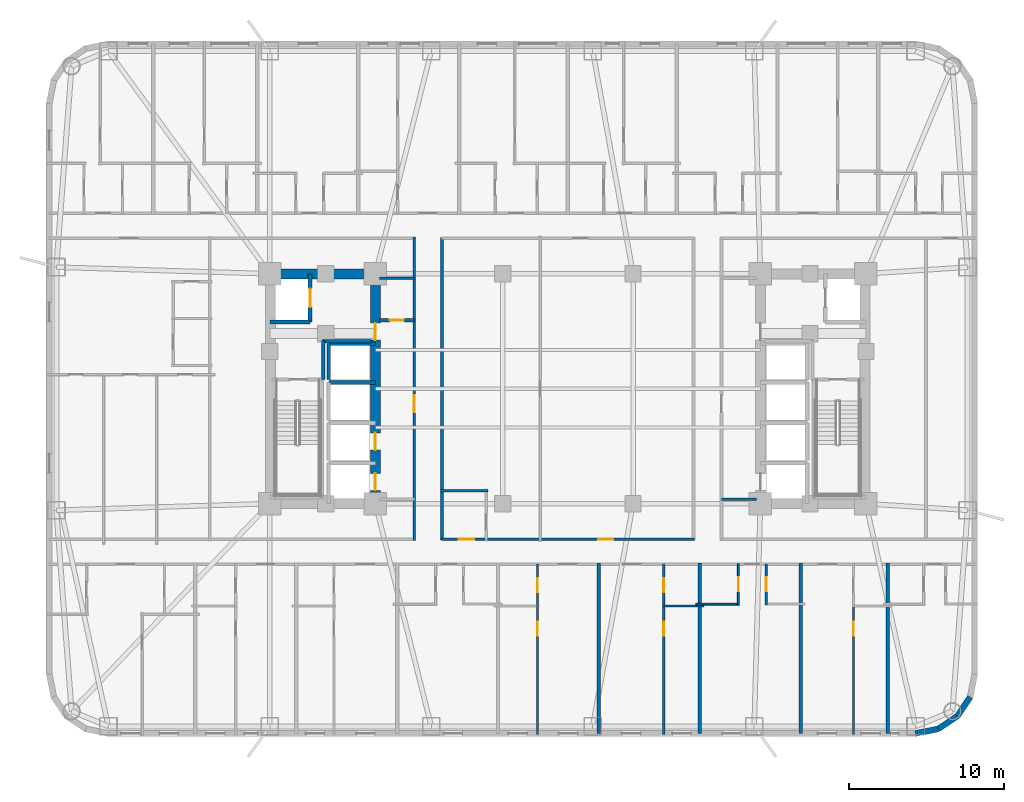
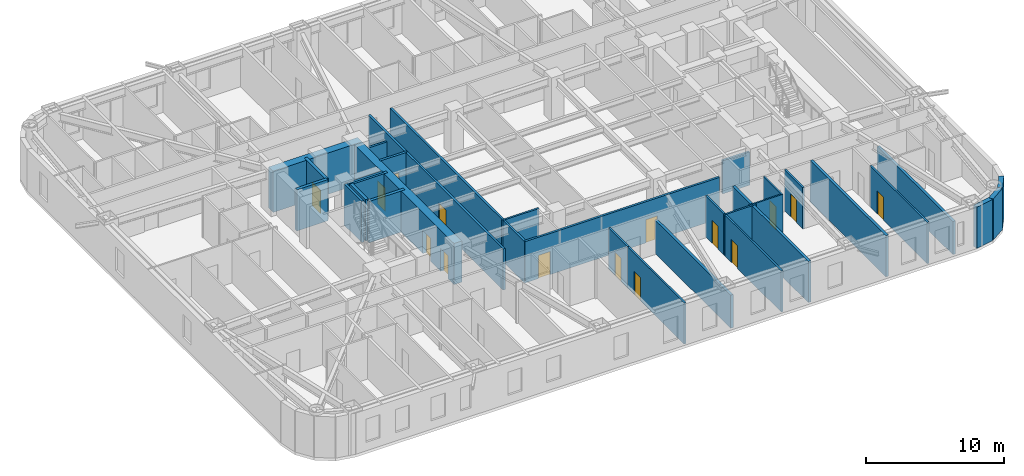
# One storey, part 5 of 11: 32 walls, 15 doors, 15 openings.
"""IFC4 building model written with IfcOpenShell, lengths in metres."""

from ifc_helpers import new_model, si_unit, direction, frame, frame_2d, origin, place, context, subcontext, project, spatial, rectangle, extrude, material, layer, layer_set, type_object, element, fill, save


model = new_model("IFC4")

# Units and contexts
model_context = context("Model", 3, precision=1e-05, world=origin(), true_north=direction((0.0, 1.0)))
body_context = subcontext(model_context, "Body", "Model", "MODEL_VIEW")
ifc_project = project(units=[si_unit("LENGTHUNIT", "METRE"), si_unit("AREAUNIT", "SQUARE_METRE"), si_unit("VOLUMEUNIT", "CUBIC_METRE"), si_unit("PLANEANGLEUNIT", "RADIAN"), si_unit("MASSUNIT", "GRAM", prefix="KILO")], contexts=[model_context])

# Site, building, storey
site_placement = place(None, origin())
site = spatial("IfcSite", under=ifc_project, at=site_placement, CompositionType="ELEMENT")
building_placement = place(site_placement, origin())
building = spatial("IfcBuilding", under=site, at=building_placement, Name="Voryun Gate Residences", CompositionType="ELEMENT")
storey_placement = place(building_placement, frame((0.0, 0.0, 49.39990234375)))
storey = spatial("IfcBuildingStorey", under=building, at=storey_placement, Name="L11", CompositionType="ELEMENT", Elevation=49.39990234375)

# Wall
ifc_material_1 = material(Name="Concrete C60/75", Category="concrete")
ifc_layer_1 = layer(ifc_material_1, 0.64990234375, Name="CW_CORE_650")
ifc_layer_set_1 = layer_set([ifc_layer_1], Name="Concrete C60/75")
wall_type_1 = type_object("IfcWallType", Name="CW_CORE_650", PredefinedType="SHEAR", material=ifc_layer_set_1)
wall_1_placement = place(storey_placement, frame((-19.52490234375, 7.39990234375, 0.0), z_axis=(0.0, 0.0, 1.0), x_axis=(1.0, 0.0, 0.0)))
element("IfcWall", 1, at=wall_1_placement, inside=storey, type_object=wall_type_1, Name="L11 Core shear wall CW-L11-WN", PredefinedType="SHEAR", context=body_context, shape_type="SweptSolid", body=[
    extrude(rectangle(XDim=7.449951171875, YDim=0.64990234375, at=frame_2d((3.72509765625, 0.0))), origin(), (0.0, 0.0, 1.0), 3.650146484375),
])

# Wall, openings, doors
wall_2_placement = place(storey_placement, frame((-12.39990234375, -7.39990234375, 0.0), z_axis=(0.0, 0.0, 1.0), x_axis=(0.0, 1.0, 0.0)))
wall_2 = element("IfcWall", 2, at=wall_2_placement, inside=storey, type_object=wall_type_1, Name="L11 Core shear wall CW-L11-WE", PredefinedType="SHEAR", context=body_context, shape_type="SweptSolid", body=[
    extrude(rectangle(XDim=14.7998046875, YDim=0.64990234375, at=frame_2d((7.39990234375, 0.0))), origin(), (0.0, 0.0, 1.0), 3.650146484375),
])
opening_1_placement = place(wall_2_placement, frame((0.85009765625, 0.0, 0.0)))
opening_1 = element("IfcOpeningElement", 3, at=opening_1_placement, cuts=wall_2, Name="Opening LD2", PredefinedType="OPENING", context=body_context, shape_type="SweptSolid", body=[
    extrude(rectangle(XDim=1.10009765625, YDim=2.050048828125, at=frame_2d((0.550048828125, 1.02490234375))), frame((0.0, 0.3349609375, 0.0), z_axis=(0.0, -1.0, 0.0), x_axis=(1.0, 0.0, 0.0)), (0.0, 0.0, 1.0), 0.669921875),
])
opening_2_placement = place(wall_2_placement, frame((3.449951171875, 0.0, 0.0)))
opening_2 = element("IfcOpeningElement", 4, at=opening_2_placement, cuts=wall_2, Name="Opening LD2", PredefinedType="OPENING", context=body_context, shape_type="SweptSolid", body=[
    extrude(rectangle(XDim=1.10009765625, YDim=2.050048828125, at=frame_2d((0.550048828125, 1.02490234375))), frame((0.0, 0.3349609375, 0.0), z_axis=(0.0, -1.0, 0.0), x_axis=(1.0, 0.0, 0.0)), (0.0, 0.0, 1.0), 0.669921875),
])
opening_3_placement = place(wall_2_placement, frame((10.530029296875, 0.0, 0.0)))
opening_3 = element("IfcOpeningElement", 5, at=opening_3_placement, cuts=wall_2, Name="Opening D-FD60-2", PredefinedType="OPENING", context=body_context, shape_type="SweptSolid", body=[
    extrude(rectangle(XDim=1.10009765625, YDim=2.050048828125, at=frame_2d((0.550048828125, 1.02490234375))), frame((0.0, 0.3349609375, 0.0), z_axis=(0.0, -1.0, 0.0), x_axis=(1.0, 0.0, 0.0)), (0.0, 0.0, 1.0), 0.669921875),
])
ifc_material_2 = material(Name="Painted steel fire door", Category="steel")
door_type_1 = type_object("IfcDoorType", Name="DR_FD60_FFLOB_1100", OperationType="NOTDEFINED", PredefinedType="DOOR", material=ifc_material_2)
door_1_placement = place(opening_3_placement, origin())
door_1 = element("IfcDoor", 6, at=door_1_placement, inside=storey, type_object=door_type_1, Name="Door DR-L11-CLOB-W", OperationType="SINGLE_SWING_LEFT", OverallHeight=2.050048828125, OverallWidth=1.10009765625, PredefinedType="DOOR", context=body_context, shape_type="SweptSolid", body=[
    extrude(rectangle(XDim=1.10009765625, YDim=2.050048828125, at=frame_2d((0.550048828125, 1.02490234375))), frame((0.0, 0.02490234375, 0.0), z_axis=(0.0, -1.0, 0.0), x_axis=(1.0, 0.0, 0.0)), (0.0, 0.0, 1.0), 0.050048828125),
])
fill(opening_3, door_1)
ifc_material_3 = material(Name="Anodised aluminium", Category="aluminium")
door_type_2 = type_object("IfcDoorType", Name="DR_LD_PASS_1100", OperationType="NOTDEFINED", PredefinedType="DOOR", material=ifc_material_3)
door_2_placement = place(opening_1_placement, origin())
door_2 = element("IfcDoor", 7, at=door_2_placement, inside=storey, type_object=door_type_2, Name="Lift EL-P1 sliding landing door L11", OperationType="SLIDING_TO_LEFT", OverallHeight=2.050048828125, OverallWidth=1.10009765625, PredefinedType="DOOR", context=body_context, shape_type="SweptSolid", body=[
    extrude(rectangle(XDim=1.10009765625, YDim=2.050048828125, at=frame_2d((0.550048828125, 1.02490234375))), frame((0.0, 0.02490234375, 0.0), z_axis=(0.0, -1.0, 0.0), x_axis=(1.0, 0.0, 0.0)), (0.0, 0.0, 1.0), 0.050048828125),
])
fill(opening_1, door_2)
door_3_placement = place(opening_2_placement, origin())
door_3 = element("IfcDoor", 8, at=door_3_placement, inside=storey, type_object=door_type_2, Name="Lift EL-P2 sliding landing door L11", OperationType="SLIDING_TO_LEFT", OverallHeight=2.050048828125, OverallWidth=1.10009765625, PredefinedType="DOOR", context=body_context, shape_type="SweptSolid", body=[
    extrude(rectangle(XDim=1.10009765625, YDim=2.050048828125, at=frame_2d((0.550048828125, 1.02490234375))), frame((0.0, 0.02490234375, 0.0), z_axis=(0.0, -1.0, 0.0), x_axis=(1.0, 0.0, 0.0)), (0.0, 0.0, 1.0), 0.050048828125),
])
fill(opening_2, door_3)

# Walls
ifc_material_4 = material(Name="Gypsum acoustic fireboard")
ifc_layer_2 = layer(ifc_material_4, 0.179931640625, Name="W_CORR_RATED_180")
ifc_layer_set_2 = layer_set([ifc_layer_2], Name="Gypsum acoustic fireboard")
wall_type_2 = type_object("IfcWallType", Name="W_CORR_RATED_180", PredefinedType="PARTITIONING", material=ifc_layer_set_2)
for number, where, z_axis, x_axis, name in (
    (9, (-12.14990234375, 7.1201171875, 0.0), (0.0, 0.0, 1.0), (1.0, 0.0, 0.0), "Partition wall WP-L11-PLBN-W"),
    (10, (9.8798828125, -7.1201171875, 0.0), (0.0, 0.0, 1.0), (1.0, 0.0, 0.0), "Partition wall WP-L11-PLBS-E"),
):
    element("IfcWall", number, at=place(storey_placement, frame(where, z_axis=z_axis, x_axis=x_axis)), inside=storey, type_object=wall_type_2, Name=name, PredefinedType="PARTITIONING", context=body_context, shape_type="SweptSolid", body=[
        extrude(rectangle(XDim=2.27001953125, YDim=0.179931640625, at=frame_2d((1.135009765625, 0.0))), origin(), (0.0, 0.0, 1.0), 2.940185546875),
    ])

# Wall, opening, door
wall_3_placement = place(storey_placement, frame((-9.89990234375, -9.780029296875, 0.0), z_axis=(0.0, 0.0, 1.0), x_axis=(0.0, 1.0, 0.0)))
wall_3 = element("IfcWall", 11, at=wall_3_placement, inside=storey, type_object=wall_type_2, Name="Partition wall WP-L11-PLBW-FULL", PredefinedType="PARTITIONING", context=body_context, shape_type="SweptSolid", body=[
    extrude(rectangle(XDim=19.56005859375, YDim=0.179931640625, at=frame_2d((9.780029296875, 0.0))), origin(), (0.0, 0.0, 1.0), 3.650146484375),
])
opening_4_placement = place(wall_3_placement, frame((8.251953125, 0.0, 0.0)))
opening_4 = element("IfcOpeningElement", 12, at=opening_4_placement, cuts=wall_3, Name="Opening D-FD60-2", PredefinedType="OPENING", context=body_context, shape_type="SweptSolid", body=[
    extrude(rectangle(XDim=1.10009765625, YDim=2.050048828125, at=frame_2d((0.550048828125, 1.02490234375))), frame((0.0, 0.099853515625, 0.0), z_axis=(0.0, -1.0, 0.0), x_axis=(1.0, 0.0, 0.0)), (0.0, 0.0, 1.0), 0.199951171875),
])
door_4_placement = place(opening_4_placement, origin())
door_4 = element("IfcDoor", 13, at=door_4_placement, inside=storey, type_object=door_type_1, Name="Door DR-L11-PLBW-COR", OperationType="SINGLE_SWING_LEFT", OverallHeight=2.050048828125, OverallWidth=1.10009765625, PredefinedType="DOOR", context=body_context, shape_type="SweptSolid", body=[
    extrude(rectangle(XDim=1.10009765625, YDim=2.050048828125, at=frame_2d((0.550048828125, 1.02490234375))), frame((0.0, 0.02490234375, 0.0), z_axis=(0.0, -1.0, 0.0), x_axis=(1.0, 0.0, 0.0)), (0.0, 0.0, 1.0), 0.050048828125),
])
fill(opening_4, door_4)

# Wall, openings, doors
wall_4_placement = place(storey_placement, frame((-8.14990234375, -9.68994140625, 0.0), z_axis=(0.0, 0.0, 1.0), x_axis=(1.0, 0.0, 0.0)))
wall_4 = element("IfcWall", 14, at=wall_4_placement, inside=storey, type_object=wall_type_2, Name="Partition wall WP-L11-Z1S", PredefinedType="PARTITIONING", context=body_context, shape_type="SweptSolid", body=[
    extrude(rectangle(XDim=16.2998046875, YDim=0.179931640625, at=frame_2d((8.14990234375, 0.0))), origin(), (0.0, 0.0, 1.0), 3.650146484375),
])
opening_5_placement = place(wall_4_placement, frame((1.1298828125, 0.0, 0.0)))
opening_5 = element("IfcOpeningElement", 15, at=opening_5_placement, cuts=wall_4, Name="Opening D-AWC-1", PredefinedType="OPENING", context=body_context, shape_type="SweptSolid", body=[
    extrude(rectangle(XDim=1.0, YDim=2.050048828125, at=frame_2d((0.5, 1.02490234375))), frame((0.0, 0.099853515625, 0.0), z_axis=(0.0, -1.0, 0.0), x_axis=(1.0, 0.0, 0.0)), (0.0, 0.0, 1.0), 0.199951171875),
])
opening_6_placement = place(wall_4_placement, frame((10.1201171875, 0.0, 0.0)))
opening_6 = element("IfcOpeningElement", 16, at=opening_6_placement, cuts=wall_4, Name="Opening D-INT-1", PredefinedType="OPENING", context=body_context, shape_type="SweptSolid", body=[
    extrude(rectangle(XDim=0.949951171875, YDim=2.050048828125, at=frame_2d((0.47509765625, 1.02490234375))), frame((0.0, 0.099853515625, 0.0), z_axis=(0.0, -1.0, 0.0), x_axis=(1.0, 0.0, 0.0)), (0.0, 0.0, 1.0), 0.199951171875),
])
ifc_material_5 = material(Name="Architectural oak veneer")
door_type_3 = type_object("IfcDoorType", Name="DR_ACC_WC_1000", OperationType="NOTDEFINED", PredefinedType="DOOR", material=ifc_material_5)
door_5_placement = place(opening_5_placement, origin())
door_5 = element("IfcDoor", 17, at=door_5_placement, inside=storey, type_object=door_type_3, Name="Door DR-L11-CMWC-D", OperationType="SINGLE_SWING_LEFT", OverallHeight=2.050048828125, OverallWidth=1.0, PredefinedType="DOOR", context=body_context, shape_type="SweptSolid", body=[
    extrude(rectangle(XDim=1.0, YDim=2.050048828125, at=frame_2d((0.5, 1.02490234375))), frame((0.0, 0.02490234375, 0.0), z_axis=(0.0, -1.0, 0.0), x_axis=(1.0, 0.0, 0.0)), (0.0, 0.0, 1.0), 0.050048828125),
])
fill(opening_5, door_5)
ifc_material_6 = material(Name="Architectural oak veneer")
door_type_4 = type_object("IfcDoorType", Name="DR_INT_ROOM_950", OperationType="NOTDEFINED", PredefinedType="DOOR", material=ifc_material_6)
door_6_placement = place(opening_6_placement, origin())
door_6 = element("IfcDoor", 18, at=door_6_placement, inside=storey, type_object=door_type_4, Name="Door DR-L11-CMIDZ1S", OperationType="SINGLE_SWING_RIGHT", OverallHeight=2.050048828125, OverallWidth=0.949951171875, PredefinedType="DOOR", context=body_context, shape_type="SweptSolid", body=[
    extrude(rectangle(XDim=0.949951171875, YDim=2.050048828125, at=frame_2d((0.47509765625, 1.02490234375))), frame((0.0, 0.02490234375, 0.0), z_axis=(0.0, -1.0, 0.0), x_axis=(1.0, 0.0, 0.0)), (0.0, 0.0, 1.0), 0.050048828125),
])
fill(opening_6, door_6)

# Walls
wall_5_placement = place(storey_placement, frame((-8.10009765625, -9.72998046875, 0.0), z_axis=(0.0, 0.0, 1.0), x_axis=(0.0, 1.0, 0.0)))
element("IfcWall", 19, at=wall_5_placement, inside=storey, type_object=wall_type_2, Name="Partition wall WP-L11-Z1W", PredefinedType="PARTITIONING", context=body_context, shape_type="SweptSolid", body=[
    extrude(rectangle(XDim=19.4599609375, YDim=0.179931640625, at=frame_2d((9.72998046875, 0.0))), origin(), (0.0, 0.0, 1.0), 3.650146484375),
])
ifc_material_7 = material(Name="Granite masonry", Category="masonry")
ifc_layer_3 = layer(ifc_material_7, 0.3798828125, Name="W_EXT_GRANITE_380")
ifc_layer_set_3 = layer_set([ifc_layer_3], Name="Granite masonry")
wall_type_3 = type_object("IfcWallType", Name="W_EXT_GRANITE_380", PredefinedType="ELEMENTEDWALL", material=ifc_layer_set_3)
for number, where, z_axis, x_axis, name in (
    (20, (25.91650390625, -19.856689453125, 0.0), (0.0, 0.0, 1.0), (-0.555686231674, -0.831392092774, 0.0), "Exterior wall WEXT-L11-18"),
    (21, (25.09130859375, -21.09130859375, 0.0), (0.0, 0.0, 1.0), (-0.831392092774, -0.555686231674, 0.0), "Exterior wall WEXT-L11-19"),
):
    element("IfcWall", number, at=place(storey_placement, frame(where, z_axis=z_axis, x_axis=x_axis)), inside=storey, type_object=wall_type_3, Name=name, PredefinedType="ELEMENTEDWALL", context=body_context, shape_type="SweptSolid", body=[
        extrude(rectangle(XDim=1.485107421875, YDim=0.3798828125, at=frame_2d((0.74267578125, 0.0))), origin(), (0.0, 0.0, 1.0), 3.650146484375),
    ])
wall_6_placement = place(storey_placement, frame((23.856689453125, -21.91650390625, 0.0), z_axis=(0.0, 0.0, 1.0), x_axis=(-0.980786132421, -0.195086038585, 0.0)))
element("IfcWall", 22, at=wall_6_placement, inside=storey, type_object=wall_type_3, Name="Exterior wall WEXT-L11-20", PredefinedType="ELEMENTEDWALL", context=body_context, shape_type="SweptSolid", body=[
    extrude(rectangle(XDim=1.504150390625, YDim=0.3798828125, at=frame_2d((0.751953125, 0.0))), origin(), (0.0, 0.0, 1.0), 3.650146484375),
])
ifc_material_8 = material(Name="Concrete C40/50", Category="concrete")
ifc_layer_4 = layer(ifc_material_8, 0.199951171875, Name="W_FF_LOBBY_200")
ifc_layer_set_4 = layer_set([ifc_layer_4], Name="Concrete C40/50")
wall_type_4 = type_object("IfcWallType", Name="W_FF_LOBBY_200", PredefinedType="PARTITIONING", material=ifc_layer_set_4)
wall_7_placement = place(storey_placement, frame((-15.760009765625, 0.580078125, 0.0), z_axis=(0.0, 0.0, 1.0), x_axis=(0.0, 1.0, 0.0)))
element("IfcWall", 23, at=wall_7_placement, inside=storey, type_object=wall_type_4, Name="Partition wall WP-L11-FFP0-W", PredefinedType="PARTITIONING", context=body_context, shape_type="SweptSolid", body=[
    extrude(rectangle(XDim=2.52001953125, YDim=0.199951171875, at=frame_2d((1.260009765625, 0.0))), origin(), (0.0, 0.0, 1.0), 3.650146484375),
])
wall_8_placement = place(storey_placement, frame((-15.820068359375, 3.06005859375, 0.0), z_axis=(0.0, 0.0, 1.0), x_axis=(1.0, 0.0, 0.0)))
element("IfcWall", 24, at=wall_8_placement, inside=storey, type_object=wall_type_4, Name="Partition wall WP-L11-FFPS-W", PredefinedType="PARTITIONING", context=body_context, shape_type="SweptSolid", body=[
    extrude(rectangle(XDim=3.16015625, YDim=0.199951171875, at=frame_2d((1.580078125, 0.0))), origin(), (0.0, 0.0, 1.0), 3.650146484375),
])

# Wall, opening, door
wall_9_placement = place(storey_placement, frame((-12.14990234375, 4.409912109375, 0.0), z_axis=(0.0, 0.0, 1.0), x_axis=(1.0, 0.0, 0.0)))
wall_9 = element("IfcWall", 25, at=wall_9_placement, inside=storey, type_object=wall_type_4, Name="Partition wall WP-L11-CSFLKS-W", PredefinedType="PARTITIONING", context=body_context, shape_type="SweptSolid", body=[
    extrude(rectangle(XDim=2.27001953125, YDim=0.199951171875, at=frame_2d((1.135009765625, 0.0))), origin(), (0.0, 0.0, 1.0), 3.650146484375),
])
opening_7_placement = place(wall_9_placement, frame((0.68505859375, 0.0, 0.0)))
opening_7 = element("IfcOpeningElement", 26, at=opening_7_placement, cuts=wall_9, Name="Opening D-FD60-4", PredefinedType="OPENING", context=body_context, shape_type="SweptSolid", body=[
    extrude(rectangle(XDim=0.89990234375, YDim=2.050048828125, at=frame_2d((0.449951171875, 1.02490234375))), frame((0.0, 0.110107421875, 0.0), z_axis=(0.0, -1.0, 0.0), x_axis=(1.0, 0.0, 0.0)), (0.0, 0.0, 1.0), 0.219970703125),
])
ifc_material_9 = material(Name="Painted steel fire door", Category="steel")
door_type_5 = type_object("IfcDoorType", Name="DR_FD60_RISER_900", OperationType="NOTDEFINED", PredefinedType="DOOR", material=ifc_material_9)
door_7_placement = place(opening_7_placement, origin())
door_7 = element("IfcDoor", 27, at=door_7_placement, inside=storey, type_object=door_type_5, Name="Door DR-L11-CSFLK-W", OperationType="SINGLE_SWING_LEFT", OverallHeight=2.050048828125, OverallWidth=0.89990234375, PredefinedType="DOOR", context=body_context, shape_type="SweptSolid", body=[
    extrude(rectangle(XDim=0.89990234375, YDim=2.050048828125, at=frame_2d((0.449951171875, 1.02490234375))), frame((0.0, 0.02490234375, 0.0), z_axis=(0.0, -1.0, 0.0), x_axis=(1.0, 0.0, 0.0)), (0.0, 0.0, 1.0), 0.050048828125),
])
fill(opening_7, door_7)

# Walls
ifc_material_10 = material(Name="Concrete C40/50", Category="concrete")
ifc_layer_5 = layer(ifc_material_10, 0.219970703125, Name="W_PARTY_ACOUSTIC_220")
ifc_layer_set_5 = layer_set([ifc_layer_5], Name="Concrete C40/50")
wall_type_5 = type_object("IfcWallType", Name="W_PARTY_ACOUSTIC_220", PredefinedType="PARTITIONING", material=ifc_layer_set_5)
wall_10_placement = place(storey_placement, frame((2.0, -22.2099609375, 0.0), z_axis=(0.0, 0.0, 1.0), x_axis=(0.0, 1.0, 0.0)))
element("IfcWall", 28, at=wall_10_placement, inside=storey, type_object=wall_type_5, Name="Partition wall WP-L11-SPTY-5", PredefinedType="PARTITIONING", context=body_context, shape_type="SweptSolid", body=[
    extrude(rectangle(XDim=10.989990234375, YDim=0.219970703125, at=frame_2d((5.4951171875, 0.0))), origin(), (0.0, 0.0, 1.0), 2.940185546875),
])
for number, where, z_axis, x_axis, name in (
    (29, (8.5, -22.2099609375, 0.0), (0.0, 0.0, 1.0), (0.0, 1.0, 0.0), "Partition wall WP-L11-SPTY-6"),
    (30, (15.0, -22.2099609375, 0.0), (0.0, 0.0, 1.0), (0.0, 1.0, 0.0), "Partition wall WP-L11-SPTY-7"),
):
    element("IfcWall", number, at=place(storey_placement, frame(where, z_axis=z_axis, x_axis=x_axis)), inside=storey, type_object=wall_type_5, Name=name, PredefinedType="PARTITIONING", context=body_context, shape_type="SweptSolid", body=[
        extrude(rectangle(XDim=10.989990234375, YDim=0.219970703125, at=frame_2d((5.4951171875, 0.0))), origin(), (0.0, 0.0, 1.0), 3.650146484375),
    ])
wall_11_placement = place(storey_placement, frame((20.60888671875, -22.2099609375, 0.0), z_axis=(0.0, 0.0, 1.0), x_axis=(0.0, 1.0, 0.0)))
element("IfcWall", 31, at=wall_11_placement, inside=storey, type_object=wall_type_5, Name="Partition wall WP-L11-SPTY-8", PredefinedType="PARTITIONING", context=body_context, shape_type="SweptSolid", body=[
    extrude(rectangle(XDim=10.989990234375, YDim=0.219970703125, at=frame_2d((5.4951171875, 0.0))), origin(), (0.0, 0.0, 1.0), 2.940185546875),
])
ifc_material_11 = material(Name="Concrete C50/60", Category="concrete")
ifc_layer_6 = layer(ifc_material_11, 0.25, Name="W_SHAFT_RC250")
ifc_layer_set_6 = layer_set([ifc_layer_6], Name="Concrete C50/60")
wall_type_6 = type_object("IfcWallType", Name="W_SHAFT_RC250", PredefinedType="SOLIDWALL", material=ifc_layer_set_6)
wall_12_placement = place(storey_placement, frame((-19.199951171875, 4.300048828125, 0.0), z_axis=(0.0, 0.0, 1.0), x_axis=(1.0, 0.0, 0.0)))
element("IfcWall", 32, at=wall_12_placement, inside=storey, type_object=wall_type_6, Name="Lift shaft wall WSH-L11-EL-FF-W1-S", PredefinedType="SOLIDWALL", context=body_context, shape_type="SweptSolid", body=[
    extrude(rectangle(XDim=2.599853515625, YDim=0.25, at=frame_2d((1.2998046875, 0.0))), origin(), (0.0, 0.0, 1.0), 3.650146484375),
])

# Wall, opening, door
wall_13_placement = place(storey_placement, frame((-16.60009765625, 4.300048828125, 0.0), z_axis=(0.0, 0.0, 1.0), x_axis=(0.0, 1.0, 0.0)))
wall_13 = element("IfcWall", 33, at=wall_13_placement, inside=storey, type_object=wall_type_6, Name="Lift shaft wall WSH-L11-EL-FF-W1-E", PredefinedType="SOLIDWALL", context=body_context, shape_type="SweptSolid", body=[
    extrude(rectangle(XDim=3.099853515625, YDim=0.25, at=frame_2d((1.5498046875, 0.0))), origin(), (0.0, 0.0, 1.0), 3.650146484375),
])
opening_8_placement = place(wall_13_placement, frame((0.949951171875, 0.0, 0.0)))
opening_8 = element("IfcOpeningElement", 34, at=opening_8_placement, cuts=wall_13, Name="Opening LD1", PredefinedType="OPENING", context=body_context, shape_type="SweptSolid", body=[
    extrude(rectangle(XDim=1.199951171875, YDim=2.050048828125, at=frame_2d((0.60009765625, 1.02490234375))), frame((0.0, 0.135009765625, 0.0), z_axis=(0.0, -1.0, 0.0), x_axis=(1.0, 0.0, 0.0)), (0.0, 0.0, 1.0), 0.27001953125),
])
ifc_material_12 = material(Name="Anodised aluminium", Category="aluminium")
door_type_6 = type_object("IfcDoorType", Name="DR_LD_FF_1200", OperationType="NOTDEFINED", PredefinedType="DOOR", material=ifc_material_12)
door_8_placement = place(opening_8_placement, origin())
door_8 = element("IfcDoor", 35, at=door_8_placement, inside=storey, type_object=door_type_6, Name="Lift EL-FF-W1 sliding landing door L11", OperationType="SLIDING_TO_LEFT", OverallHeight=2.050048828125, OverallWidth=1.199951171875, PredefinedType="DOOR", context=body_context, shape_type="SweptSolid", body=[
    extrude(rectangle(XDim=1.199951171875, YDim=2.050048828125, at=frame_2d((0.60009765625, 1.02490234375))), frame((0.0, 0.02490234375, 0.0), z_axis=(0.0, -1.0, 0.0), x_axis=(1.0, 0.0, 0.0)), (0.0, 0.0, 1.0), 0.050048828125),
])
fill(opening_8, door_8)

# Walls
for number, where, z_axis, x_axis, name in (
    (36, (-12.39990234375, 0.39990234375, 0.0), (0.0, 0.0, 1.0), (-1.0, 0.0, 0.0), "Lift shaft wall WSH-L11-EL-P4-N"),
    (37, (-12.39990234375, 2.89990234375, 0.0), (0.0, 0.0, 1.0), (-1.0, 0.0, 0.0), "Lift shaft wall WSH-L11-EL-P7-N"),
):
    element("IfcWall", number, at=place(storey_placement, frame(where, z_axis=z_axis, x_axis=x_axis)), inside=storey, type_object=wall_type_6, Name=name, PredefinedType="SOLIDWALL", context=body_context, shape_type="SweptSolid", body=[
        extrude(rectangle(XDim=3.0, YDim=0.25, at=frame_2d((1.5, 0.0))), origin(), (0.0, 0.0, 1.0), 3.650146484375),
    ])
wall_14_placement = place(storey_placement, frame((-15.39990234375, 2.89990234375, 0.0), z_axis=(0.0, 0.0, 1.0), x_axis=(0.0, -1.0, 0.0)))
element("IfcWall", 38, at=wall_14_placement, inside=storey, type_object=wall_type_6, Name="Lift shaft wall WSH-L11-EL-P7-W", PredefinedType="SOLIDWALL", context=body_context, shape_type="SweptSolid", body=[
    extrude(rectangle(XDim=2.2998046875, YDim=0.25, at=frame_2d((1.14990234375, 0.0))), origin(), (0.0, 0.0, 1.0), 3.650146484375),
])

# Wall, opening, door
ifc_material_13 = material(Name="Gypsum acoustic partition")
ifc_layer_7 = layer(ifc_material_13, 0.125, Name="W_UNIT_PART_125")
ifc_layer_set_7 = layer_set([ifc_layer_7], Name="Gypsum acoustic partition")
wall_type_7 = type_object("IfcWallType", Name="W_UNIT_PART_125", PredefinedType="PARTITIONING", material=ifc_layer_set_7)
wall_15_placement = place(storey_placement, frame((10.98388671875, -13.929931640625, 0.0), z_axis=(0.0, 0.0, 1.0), x_axis=(0.0, 1.0, 0.0)))
wall_15 = element("IfcWall", 39, at=wall_15_placement, inside=storey, type_object=wall_type_7, Name="Partition wall WP-L11-S7-CVK", PredefinedType="PARTITIONING", context=body_context, shape_type="SweptSolid", body=[
    extrude(rectangle(XDim=2.64990234375, YDim=0.125, at=frame_2d((1.324951171875, 0.0))), origin(), (0.0, 0.0, 1.0), 3.650146484375),
])
opening_9_placement = place(wall_15_placement, frame((0.875, 0.0, 0.0)))
opening_9 = element("IfcOpeningElement", 40, at=opening_9_placement, cuts=wall_15, Name="Opening D-INT-2", PredefinedType="OPENING", context=body_context, shape_type="SweptSolid", body=[
    extrude(rectangle(XDim=0.89990234375, YDim=2.050048828125, at=frame_2d((0.449951171875, 1.02490234375))), frame((0.0, 0.072509765625, 0.0), z_axis=(0.0, -1.0, 0.0), x_axis=(1.0, 0.0, 0.0)), (0.0, 0.0, 1.0), 0.14501953125),
])
ifc_material_14 = material(Name="Architectural oak veneer")
door_type_7 = type_object("IfcDoorType", Name="DR_INT_BATH_900", OperationType="NOTDEFINED", PredefinedType="DOOR", material=ifc_material_14)
door_9_placement = place(opening_9_placement, origin())
door_9 = element("IfcDoor", 41, at=door_9_placement, inside=storey, type_object=door_type_7, Name="Door DR-L11-S7-DK", OperationType="SINGLE_SWING_LEFT", OverallHeight=2.050048828125, OverallWidth=0.89990234375, PredefinedType="DOOR", context=body_context, shape_type="SweptSolid", body=[
    extrude(rectangle(XDim=0.89990234375, YDim=2.050048828125, at=frame_2d((0.449951171875, 1.02490234375))), frame((0.0, 0.02490234375, 0.0), z_axis=(0.0, -1.0, 0.0), x_axis=(1.0, 0.0, 0.0)), (0.0, 0.0, 1.0), 0.050048828125),
])
fill(opening_9, door_9)

# Walls
wall_16_placement = place(storey_placement, frame((8.239990234375, -13.8701171875, 0.0), z_axis=(0.0, 0.0, 1.0), x_axis=(1.0, 0.0, 0.0)))
element("IfcWall", 42, at=wall_16_placement, inside=storey, type_object=wall_type_7, Name="Partition wall WP-L11-S7-CHK", PredefinedType="PARTITIONING", context=body_context, shape_type="SweptSolid", body=[
    extrude(rectangle(XDim=2.803955078125, YDim=0.125, at=frame_2d((1.40185546875, 0.0))), origin(), (0.0, 0.0, 1.0), 3.650146484375),
])
ifc_material_15 = material(Name="Gypsum moisture-resistant partition")
ifc_layer_8 = layer(ifc_material_15, 0.14990234375, Name="W_WET_PLUMB_150")
ifc_layer_set_8 = layer_set([ifc_layer_8], Name="Gypsum moisture-resistant partition")
wall_type_8 = type_object("IfcWallType", Name="W_WET_PLUMB_150", PredefinedType="PLUMBINGWALL", material=ifc_layer_set_8)
wall_17_placement = place(storey_placement, frame((-8.2099609375, -6.570068359375, 0.0), z_axis=(0.0, 0.0, 1.0), x_axis=(1.0, 0.0, 0.0)))
element("IfcWall", 43, at=wall_17_placement, inside=storey, type_object=wall_type_8, Name="Partition wall WP-L11-CMWCY", PredefinedType="PLUMBINGWALL", context=body_context, shape_type="SweptSolid", body=[
    extrude(rectangle(XDim=3.050048828125, YDim=0.14990234375, at=frame_2d((1.52490234375, 0.0))), origin(), (0.0, 0.0, 1.0), 3.650146484375),
])

# Wall, opening, door
wall_18_placement = place(storey_placement, frame((-1.951904296875, -22.257568359375, 0.0), z_axis=(0.0, 0.0, 1.0), x_axis=(0.0, 1.0, 0.0)))
wall_18 = element("IfcWall", 44, at=wall_18_placement, inside=storey, type_object=wall_type_8, Name="Partition wall WP-L11-S5-SVT1", PredefinedType="PLUMBINGWALL", context=body_context, shape_type="SweptSolid", body=[
    extrude(rectangle(XDim=8.297607421875, YDim=0.14990234375, at=frame_2d((4.14892578125, 0.0))), origin(), (0.0, 0.0, 1.0), 3.650146484375),
])
opening_10_placement = place(wall_18_placement, frame((6.35400390625, 0.0, 0.0)))
opening_10 = element("IfcOpeningElement", 45, at=opening_10_placement, cuts=wall_18, Name="Opening D-INT-2", PredefinedType="OPENING", context=body_context, shape_type="SweptSolid", body=[
    extrude(rectangle(XDim=0.89990234375, YDim=2.050048828125, at=frame_2d((0.449951171875, 1.02490234375))), frame((0.0, 0.0849609375, 0.0), z_axis=(0.0, -1.0, 0.0), x_axis=(1.0, 0.0, 0.0)), (0.0, 0.0, 1.0), 0.169921875),
])
door_10_placement = place(opening_10_placement, origin())
door_10 = element("IfcDoor", 46, at=door_10_placement, inside=storey, type_object=door_type_7, Name="Door DR-L11-S5-DK", OperationType="SINGLE_SWING_LEFT", OverallHeight=2.050048828125, OverallWidth=0.89990234375, PredefinedType="DOOR", context=body_context, shape_type="SweptSolid", body=[
    extrude(rectangle(XDim=0.89990234375, YDim=2.050048828125, at=frame_2d((0.449951171875, 1.02490234375))), frame((0.0, 0.02490234375, 0.0), z_axis=(0.0, -1.0, 0.0), x_axis=(1.0, 0.0, 0.0)), (0.0, 0.0, 1.0), 0.050048828125),
])
fill(opening_10, door_10)

wall_19_placement = place(storey_placement, frame((-1.951904296875, -14.0400390625, 0.0), z_axis=(0.0, 0.0, 1.0), x_axis=(0.0, 1.0, 0.0)))
wall_19 = element("IfcWall", 47, at=wall_19_placement, inside=storey, type_object=wall_type_8, Name="Partition wall WP-L11-S5-SVT2", PredefinedType="PLUMBINGWALL", context=body_context, shape_type="SweptSolid", body=[
    extrude(rectangle(XDim=2.760009765625, YDim=0.14990234375, at=frame_2d((1.3798828125, 0.0))), origin(), (0.0, 0.0, 1.0), 3.650146484375),
])
opening_11_placement = place(wall_19_placement, frame((0.929931640625, 0.0, 0.0)))
opening_11 = element("IfcOpeningElement", 48, at=opening_11_placement, cuts=wall_19, Name="Opening D-INT-2", PredefinedType="OPENING", context=body_context, shape_type="SweptSolid", body=[
    extrude(rectangle(XDim=0.89990234375, YDim=2.050048828125, at=frame_2d((0.449951171875, 1.02490234375))), frame((0.0, 0.0849609375, 0.0), z_axis=(0.0, -1.0, 0.0), x_axis=(1.0, 0.0, 0.0)), (0.0, 0.0, 1.0), 0.169921875),
])
door_11_placement = place(opening_11_placement, origin())
door_11 = element("IfcDoor", 49, at=door_11_placement, inside=storey, type_object=door_type_7, Name="Door DR-L11-S5-DB", OperationType="SINGLE_SWING_RIGHT", OverallHeight=2.050048828125, OverallWidth=0.89990234375, PredefinedType="DOOR", context=body_context, shape_type="SweptSolid", body=[
    extrude(rectangle(XDim=0.89990234375, YDim=2.050048828125, at=frame_2d((0.449951171875, 1.02490234375))), frame((0.0, 0.02490234375, 0.0), z_axis=(0.0, -1.0, 0.0), x_axis=(1.0, 0.0, 0.0)), (0.0, 0.0, 1.0), 0.050048828125),
])
fill(opening_11, door_11)

# Wall
wall_20_placement = place(storey_placement, frame((6.089111328125, -14.0, 0.0), z_axis=(0.0, 0.0, 1.0), x_axis=(1.0, 0.0, 0.0)))
element("IfcWall", 50, at=wall_20_placement, inside=storey, type_object=wall_type_8, Name="Partition wall WP-L11-S6-SKB", PredefinedType="PLUMBINGWALL", context=body_context, shape_type="SweptSolid", body=[
    extrude(rectangle(XDim=2.6708984375, YDim=0.14990234375, at=frame_2d((1.33544921875, 0.0))), origin(), (0.0, 0.0, 1.0), 3.650146484375),
])

# Wall, opening, door
wall_21_placement = place(storey_placement, frame((6.1689453125, -22.257568359375, 0.0), z_axis=(0.0, 0.0, 1.0), x_axis=(0.0, 1.0, 0.0)))
wall_21 = element("IfcWall", 51, at=wall_21_placement, inside=storey, type_object=wall_type_8, Name="Partition wall WP-L11-S6-SVT1", PredefinedType="PLUMBINGWALL", context=body_context, shape_type="SweptSolid", body=[
    extrude(rectangle(XDim=8.297607421875, YDim=0.14990234375, at=frame_2d((4.14892578125, 0.0))), origin(), (0.0, 0.0, 1.0), 3.650146484375),
])
opening_12_placement = place(wall_21_placement, frame((6.35400390625, 0.0, 0.0)))
opening_12 = element("IfcOpeningElement", 52, at=opening_12_placement, cuts=wall_21, Name="Opening D-INT-2", PredefinedType="OPENING", context=body_context, shape_type="SweptSolid", body=[
    extrude(rectangle(XDim=0.89990234375, YDim=2.050048828125, at=frame_2d((0.449951171875, 1.02490234375))), frame((0.0, 0.0849609375, 0.0), z_axis=(0.0, -1.0, 0.0), x_axis=(1.0, 0.0, 0.0)), (0.0, 0.0, 1.0), 0.169921875),
])
door_12_placement = place(opening_12_placement, origin())
door_12 = element("IfcDoor", 53, at=door_12_placement, inside=storey, type_object=door_type_7, Name="Door DR-L11-S6-DK", OperationType="SINGLE_SWING_LEFT", OverallHeight=2.050048828125, OverallWidth=0.89990234375, PredefinedType="DOOR", context=body_context, shape_type="SweptSolid", body=[
    extrude(rectangle(XDim=0.89990234375, YDim=2.050048828125, at=frame_2d((0.449951171875, 1.02490234375))), frame((0.0, 0.02490234375, 0.0), z_axis=(0.0, -1.0, 0.0), x_axis=(1.0, 0.0, 0.0)), (0.0, 0.0, 1.0), 0.050048828125),
])
fill(opening_12, door_12)

wall_22_placement = place(storey_placement, frame((6.1689453125, -14.0400390625, 0.0), z_axis=(0.0, 0.0, 1.0), x_axis=(0.0, 1.0, 0.0)))
wall_22 = element("IfcWall", 54, at=wall_22_placement, inside=storey, type_object=wall_type_8, Name="Partition wall WP-L11-S6-SVT2", PredefinedType="PLUMBINGWALL", context=body_context, shape_type="SweptSolid", body=[
    extrude(rectangle(XDim=2.760009765625, YDim=0.14990234375, at=frame_2d((1.3798828125, 0.0))), origin(), (0.0, 0.0, 1.0), 3.650146484375),
])
opening_13_placement = place(wall_22_placement, frame((0.929931640625, 0.0, 0.0)))
opening_13 = element("IfcOpeningElement", 55, at=opening_13_placement, cuts=wall_22, Name="Opening D-INT-2", PredefinedType="OPENING", context=body_context, shape_type="SweptSolid", body=[
    extrude(rectangle(XDim=0.89990234375, YDim=2.050048828125, at=frame_2d((0.449951171875, 1.02490234375))), frame((0.0, 0.0849609375, 0.0), z_axis=(0.0, -1.0, 0.0), x_axis=(1.0, 0.0, 0.0)), (0.0, 0.0, 1.0), 0.169921875),
])
door_13_placement = place(opening_13_placement, origin())
door_13 = element("IfcDoor", 56, at=door_13_placement, inside=storey, type_object=door_type_7, Name="Door DR-L11-S6-DB", OperationType="SINGLE_SWING_RIGHT", OverallHeight=2.050048828125, OverallWidth=0.89990234375, PredefinedType="DOOR", context=body_context, shape_type="SweptSolid", body=[
    extrude(rectangle(XDim=0.89990234375, YDim=2.050048828125, at=frame_2d((0.449951171875, 1.02490234375))), frame((0.0, 0.02490234375, 0.0), z_axis=(0.0, -1.0, 0.0), x_axis=(1.0, 0.0, 0.0)), (0.0, 0.0, 1.0), 0.050048828125),
])
fill(opening_13, door_13)

wall_23_placement = place(storey_placement, frame((12.77099609375, -13.929931640625, 0.0), z_axis=(0.0, 0.0, 1.0), x_axis=(0.0, 1.0, 0.0)))
wall_23 = element("IfcWall", 57, at=wall_23_placement, inside=storey, type_object=wall_type_8, Name="Partition wall WP-L11-S7-CVB", PredefinedType="PLUMBINGWALL", context=body_context, shape_type="SweptSolid", body=[
    extrude(rectangle(XDim=2.64990234375, YDim=0.14990234375, at=frame_2d((1.324951171875, 0.0))), origin(), (0.0, 0.0, 1.0), 3.650146484375),
])
opening_14_placement = place(wall_23_placement, frame((0.875, 0.0, 0.0)))
opening_14 = element("IfcOpeningElement", 58, at=opening_14_placement, cuts=wall_23, Name="Opening D-INT-2", PredefinedType="OPENING", context=body_context, shape_type="SweptSolid", body=[
    extrude(rectangle(XDim=0.89990234375, YDim=2.050048828125, at=frame_2d((0.449951171875, 1.02490234375))), frame((0.0, 0.0849609375, 0.0), z_axis=(0.0, -1.0, 0.0), x_axis=(1.0, 0.0, 0.0)), (0.0, 0.0, 1.0), 0.169921875),
])
door_14_placement = place(opening_14_placement, origin())
door_14 = element("IfcDoor", 59, at=door_14_placement, inside=storey, type_object=door_type_7, Name="Door DR-L11-S7-DB", OperationType="SINGLE_SWING_RIGHT", OverallHeight=2.050048828125, OverallWidth=0.89990234375, PredefinedType="DOOR", context=body_context, shape_type="SweptSolid", body=[
    extrude(rectangle(XDim=0.89990234375, YDim=2.050048828125, at=frame_2d((0.449951171875, 1.02490234375))), frame((0.0, 0.02490234375, 0.0), z_axis=(0.0, -1.0, 0.0), x_axis=(1.0, 0.0, 0.0)), (0.0, 0.0, 1.0), 0.050048828125),
])
fill(opening_14, door_14)

wall_24_placement = place(storey_placement, frame((18.39892578125, -22.257568359375, 0.0), z_axis=(0.0, 0.0, 1.0), x_axis=(0.0, 1.0, 0.0)))
wall_24 = element("IfcWall", 60, at=wall_24_placement, inside=storey, type_object=wall_type_8, Name="Partition wall WP-L11-S8-SVT1", PredefinedType="PLUMBINGWALL", context=body_context, shape_type="SweptSolid", body=[
    extrude(rectangle(XDim=8.297607421875, YDim=0.14990234375, at=frame_2d((4.14892578125, 0.0))), origin(), (0.0, 0.0, 1.0), 3.650146484375),
])
opening_15_placement = place(wall_24_placement, frame((6.35400390625, 0.0, 0.0)))
opening_15 = element("IfcOpeningElement", 61, at=opening_15_placement, cuts=wall_24, Name="Opening D-INT-2", PredefinedType="OPENING", context=body_context, shape_type="SweptSolid", body=[
    extrude(rectangle(XDim=0.89990234375, YDim=2.050048828125, at=frame_2d((0.449951171875, 1.02490234375))), frame((0.0, 0.0849609375, 0.0), z_axis=(0.0, -1.0, 0.0), x_axis=(1.0, 0.0, 0.0)), (0.0, 0.0, 1.0), 0.169921875),
])
door_15_placement = place(opening_15_placement, origin())
door_15 = element("IfcDoor", 62, at=door_15_placement, inside=storey, type_object=door_type_7, Name="Door DR-L11-S8-DK", OperationType="SINGLE_SWING_LEFT", OverallHeight=2.050048828125, OverallWidth=0.89990234375, PredefinedType="DOOR", context=body_context, shape_type="SweptSolid", body=[
    extrude(rectangle(XDim=0.89990234375, YDim=2.050048828125, at=frame_2d((0.449951171875, 1.02490234375))), frame((0.0, 0.02490234375, 0.0), z_axis=(0.0, -1.0, 0.0), x_axis=(1.0, 0.0, 0.0)), (0.0, 0.0, 1.0), 0.050048828125),
])
fill(opening_15, door_15)

save(model, "model.ifc")
